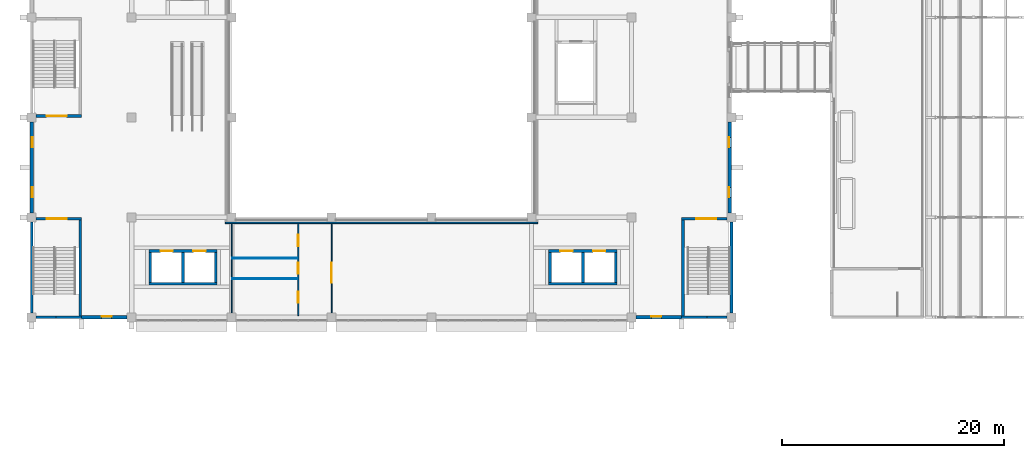
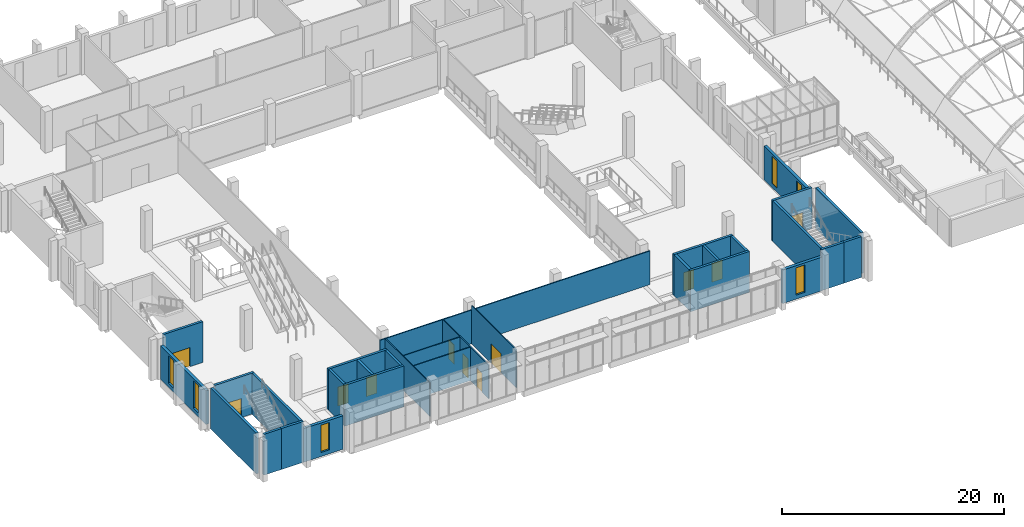
# One storey, part 51 of 79: 31 walls, 11 doors, 6 windows, 17 openings.
"""IFC4 building model written with IfcOpenShell, lengths in metres."""

from ifc_helpers import new_model, si_unit, direction, frame, frame_2d, origin, place, context, subcontext, project, spatial, rectangle, extrude, material, layer, layer_set, type_object, element, fill, save


model = new_model("IFC4")

# Units and contexts
model_context = context("Model", 3, precision=1e-05, world=origin(), true_north=direction((0.0, 1.0)))
body_context = subcontext(model_context, "Body", "Model", "MODEL_VIEW")
ifc_project = project(units=[si_unit("LENGTHUNIT", "METRE"), si_unit("AREAUNIT", "SQUARE_METRE"), si_unit("VOLUMEUNIT", "CUBIC_METRE"), si_unit("PLANEANGLEUNIT", "RADIAN"), si_unit("MASSUNIT", "GRAM", prefix="KILO")], contexts=[model_context])

# Site, building, storey
site_placement = place(None, origin())
site = spatial("IfcSite", under=ifc_project, at=site_placement, CompositionType="ELEMENT")
building_placement = place(site_placement, origin())
building = spatial("IfcBuilding", under=site, at=building_placement, Name="Guidao Yard Department Store", CompositionType="ELEMENT")
storey_placement = place(building_placement, frame((0.0, 0.0, 15.0)))
storey = spatial("IfcBuildingStorey", under=building, at=storey_placement, Name="L03", CompositionType="ELEMENT", Elevation=15.0)

# Walls
ifc_material_1 = material(Name="Moisture-resistant board on Steel Q235 studs", Category="steel")
ifc_layer_1 = layer(ifc_material_1, 0.080078125)
ifc_layer_set_1 = layer_set([ifc_layer_1], Name="Cubicle and Duct Partition P8 80 mm moisture-resistant board")
wall_type_1 = type_object("IfcWallType", Name="Cubicle and Duct Partition P8 80 mm moisture-resistant board", PredefinedType="PARTITIONING", material=ifc_layer_set_1)
for number, where, z_axis, x_axis, name in (
    (1, (18.050048828125, 48.489990234375, 0.0), (0.0, 0.0, 1.0), (1.0, 0.0, 0.0), "Wall W-HL03-004"),
    (2, (18.050048828125, 50.326904296875, 0.0), (0.0, 0.0, 1.0), (1.0, 0.0, 0.0), "Wall W-HL03-005"),
):
    element("IfcWall", number, at=place(storey_placement, frame(where, z_axis=z_axis, x_axis=x_axis)), inside=storey, type_object=wall_type_1, Name=name, PredefinedType="PARTITIONING", context=body_context, shape_type="SweptSolid", body=[
        extrude(rectangle(XDim=5.89990234375, YDim=0.080078125, at=frame_2d((2.949951171875, 0.0))), origin(), (0.0, 0.0, 1.0), 3.699951171875),
    ])
ifc_material_2 = material(Name="Fire-rated glazing in Steel Q235 frame", Category="steel")
ifc_layer_2 = layer(ifc_material_2, 0.1201171875)
ifc_layer_set_2 = layer_set([ifc_layer_2], Name="Fire-Glazed Screen P5 120 mm EI 60")
wall_type_2 = type_object("IfcWallType", Name="Fire-Glazed Screen P5 120 mm EI 60", PredefinedType="PARTITIONING", material=ifc_layer_set_2)
wall_1_placement = place(storey_placement, frame((17.43994140625, 53.5, 0.0), z_axis=(0.0, 0.0, 1.0), x_axis=(1.0, 0.0, 0.0)))
element("IfcWall", 3, at=wall_1_placement, inside=storey, type_object=wall_type_2, Name="Wall W-HL03-006", PredefinedType="PARTITIONING", context=body_context, shape_type="SweptSolid", body=[
    extrude(rectangle(XDim=28.1201171875, YDim=0.1201171875, at=frame_2d((14.06005859375, 0.0))), origin(), (0.0, 0.0, 1.0), 3.699951171875),
])

# Wall, opening, window
ifc_material_3 = material(Name="Concrete C35", Category="concrete")
ifc_layer_3 = layer(ifc_material_3, 0.300048828125)
ifc_layer_set_3 = layer_set([ifc_layer_3], Name="Hall facade wall 300 C35")
wall_type_3 = type_object("IfcWallType", Name="Hall facade wall 300 C35", PredefinedType="SOLIDWALL", material=ifc_layer_set_3)
wall_2_placement = place(storey_placement, frame((8.60009765625, 45.0, 0.0), z_axis=(0.0, 0.0, 1.0), x_axis=(-1.0, 0.0, 0.0)))
wall_2 = element("IfcWall", 4, at=wall_2_placement, inside=storey, type_object=wall_type_3, Name="Hall facade wall", PredefinedType="SOLIDWALL", context=body_context, shape_type="SweptSolid", body=[
    extrude(rectangle(XDim=4.10009765625, YDim=0.300048828125, at=frame_2d((2.050048828125, 0.0))), origin(), (0.0, 0.0, 1.0), 3.699951171875),
])
opening_1_placement = place(wall_2_placement, frame((1.39990234375, 0.0, 0.449951171875)))
opening_1 = element("IfcOpeningElement", 5, at=opening_1_placement, cuts=wall_2, Name="Opening WN-L03-E01", PredefinedType="OPENING", context=body_context, shape_type="SweptSolid", body=[
    extrude(rectangle(XDim=0.89990234375, YDim=3.0, at=frame_2d((0.449951171875, 1.5))), frame((0.0, 0.159912109375, 0.0), z_axis=(0.0, -1.0, 0.0), x_axis=(1.0, 0.0, 0.0)), (0.0, 0.0, 1.0), 0.320068359375),
])
ifc_material_4 = material(Name="Laminated glass in aluminium frame", Category="aluminium")
window_type = type_object("IfcWindowType", Name="Slot window SL1 900 x 3000 fixed", PartitioningType="SINGLE_PANEL", PredefinedType="WINDOW", material=ifc_material_4)
window_1_placement = place(opening_1_placement, origin())
window_1 = element("IfcWindow", 6, at=window_1_placement, inside=storey, type_object=window_type, Name="Slot window", OverallHeight=3.0, OverallWidth=0.89990234375, PartitioningType="SINGLE_PANEL", PredefinedType="WINDOW", context=body_context, shape_type="SweptSolid", body=[
    extrude(rectangle(XDim=0.89990234375, YDim=3.0, at=frame_2d((0.449951171875, 1.5))), frame((0.0, -0.030029296875, 0.0), z_axis=(0.0, -1.0, 0.0), x_axis=(1.0, 0.0, 0.0)), (0.0, 0.0, 1.0), 0.06005859375),
])
fill(opening_1, window_1)

wall_3_placement = place(storey_placement, frame((58.5, 45.0, 0.0), z_axis=(0.0, 0.0, 1.0), x_axis=(-1.0, 0.0, 0.0)))
wall_3 = element("IfcWall", 7, at=wall_3_placement, inside=storey, type_object=wall_type_3, Name="Hall facade wall", PredefinedType="SOLIDWALL", context=body_context, shape_type="SweptSolid", body=[
    extrude(rectangle(XDim=4.10009765625, YDim=0.300048828125, at=frame_2d((2.050048828125, 0.0))), origin(), (0.0, 0.0, 1.0), 3.699951171875),
])
opening_2_placement = place(wall_3_placement, frame((1.800048828125, 0.0, 0.449951171875)))
opening_2 = element("IfcOpeningElement", 8, at=opening_2_placement, cuts=wall_3, Name="Opening WN-L03-E02", PredefinedType="OPENING", context=body_context, shape_type="SweptSolid", body=[
    extrude(rectangle(XDim=0.89990234375, YDim=3.0, at=frame_2d((0.449951171875, 1.5))), frame((0.0, 0.159912109375, 0.0), z_axis=(0.0, -1.0, 0.0), x_axis=(1.0, 0.0, 0.0)), (0.0, 0.0, 1.0), 0.320068359375),
])
window_2_placement = place(opening_2_placement, origin())
window_2 = element("IfcWindow", 9, at=window_2_placement, inside=storey, type_object=window_type, Name="Slot window", OverallHeight=3.0, OverallWidth=0.89990234375, PartitioningType="SINGLE_PANEL", PredefinedType="WINDOW", context=body_context, shape_type="SweptSolid", body=[
    extrude(rectangle(XDim=0.89990234375, YDim=3.0, at=frame_2d((0.449951171875, 1.5))), frame((0.0, -0.030029296875, 0.0), z_axis=(0.0, -1.0, 0.0), x_axis=(1.0, 0.0, 0.0)), (0.0, 0.0, 1.0), 0.06005859375),
])
fill(opening_2, window_2)

# Wall, openings, windows
wall_4_placement = place(storey_placement, frame((0.0, 54.39990234375, 0.0), z_axis=(0.0, 0.0, 1.0), x_axis=(0.0, 1.0, 0.0)))
wall_4 = element("IfcWall", 10, at=wall_4_placement, inside=storey, type_object=wall_type_3, Name="Hall facade wall", PredefinedType="SOLIDWALL", context=body_context, shape_type="SweptSolid", body=[
    extrude(rectangle(XDim=8.2001953125, YDim=0.300048828125, at=frame_2d((4.10009765625, 0.0))), origin(), (0.0, 0.0, 1.0), 3.699951171875),
])
opening_3_placement = place(wall_4_placement, frame((1.39990234375, 0.0, 0.449951171875)))
opening_3 = element("IfcOpeningElement", 11, at=opening_3_placement, cuts=wall_4, Name="Opening WN-L03-E03", PredefinedType="OPENING", context=body_context, shape_type="SweptSolid", body=[
    extrude(rectangle(XDim=0.89990234375, YDim=3.0, at=frame_2d((0.449951171875, 1.5))), frame((0.0, 0.159912109375, 0.0), z_axis=(0.0, -1.0, 0.0), x_axis=(1.0, 0.0, 0.0)), (0.0, 0.0, 1.0), 0.320068359375),
])
opening_4_placement = place(wall_4_placement, frame((5.89990234375, 0.0, 0.449951171875)))
opening_4 = element("IfcOpeningElement", 12, at=opening_4_placement, cuts=wall_4, Name="Opening WN-L03-E04", PredefinedType="OPENING", context=body_context, shape_type="SweptSolid", body=[
    extrude(rectangle(XDim=0.89990234375, YDim=3.0, at=frame_2d((0.449951171875, 1.5))), frame((0.0, 0.159912109375, 0.0), z_axis=(0.0, -1.0, 0.0), x_axis=(1.0, 0.0, 0.0)), (0.0, 0.0, 1.0), 0.320068359375),
])
window_3_placement = place(opening_3_placement, origin())
window_3 = element("IfcWindow", 13, at=window_3_placement, inside=storey, type_object=window_type, Name="Slot window", OverallHeight=3.0, OverallWidth=0.89990234375, PartitioningType="SINGLE_PANEL", PredefinedType="WINDOW", context=body_context, shape_type="SweptSolid", body=[
    extrude(rectangle(XDim=0.89990234375, YDim=3.0, at=frame_2d((0.449951171875, 1.5))), frame((0.0, -0.030029296875, 0.0), z_axis=(0.0, -1.0, 0.0), x_axis=(1.0, 0.0, 0.0)), (0.0, 0.0, 1.0), 0.06005859375),
])
fill(opening_3, window_3)
window_4_placement = place(opening_4_placement, origin())
window_4 = element("IfcWindow", 14, at=window_4_placement, inside=storey, type_object=window_type, Name="Slot window", OverallHeight=3.0, OverallWidth=0.89990234375, PartitioningType="SINGLE_PANEL", PredefinedType="WINDOW", context=body_context, shape_type="SweptSolid", body=[
    extrude(rectangle(XDim=0.89990234375, YDim=3.0, at=frame_2d((0.449951171875, 1.5))), frame((0.0, -0.030029296875, 0.0), z_axis=(0.0, -1.0, 0.0), x_axis=(1.0, 0.0, 0.0)), (0.0, 0.0, 1.0), 0.06005859375),
])
fill(opening_4, window_4)

wall_5_placement = place(storey_placement, frame((62.85009765625, 62.60009765625, 0.0), z_axis=(0.0, 0.0, 1.0), x_axis=(0.0, -1.0, 0.0)))
wall_5 = element("IfcWall", 15, at=wall_5_placement, inside=storey, type_object=wall_type_3, Name="Hall facade wall", PredefinedType="SOLIDWALL", context=body_context, shape_type="SweptSolid", body=[
    extrude(rectangle(XDim=8.2001953125, YDim=0.300048828125, at=frame_2d((4.10009765625, 0.0))), origin(), (0.0, 0.0, 1.0), 3.699951171875),
])
opening_5_placement = place(wall_5_placement, frame((5.89990234375, 0.0, 0.449951171875)))
opening_5 = element("IfcOpeningElement", 16, at=opening_5_placement, cuts=wall_5, Name="Opening WN-L03-E19", PredefinedType="OPENING", context=body_context, shape_type="SweptSolid", body=[
    extrude(rectangle(XDim=0.89990234375, YDim=3.0, at=frame_2d((0.449951171875, 1.5))), frame((0.0, 0.159912109375, 0.0), z_axis=(0.0, -1.0, 0.0), x_axis=(1.0, 0.0, 0.0)), (0.0, 0.0, 1.0), 0.320068359375),
])
opening_6_placement = place(wall_5_placement, frame((1.39990234375, 0.0, 0.449951171875)))
opening_6 = element("IfcOpeningElement", 17, at=opening_6_placement, cuts=wall_5, Name="Opening WN-L03-E20", PredefinedType="OPENING", context=body_context, shape_type="SweptSolid", body=[
    extrude(rectangle(XDim=0.89990234375, YDim=3.0, at=frame_2d((0.449951171875, 1.5))), frame((0.0, 0.159912109375, 0.0), z_axis=(0.0, -1.0, 0.0), x_axis=(1.0, 0.0, 0.0)), (0.0, 0.0, 1.0), 0.320068359375),
])
window_5_placement = place(opening_5_placement, origin())
window_5 = element("IfcWindow", 18, at=window_5_placement, inside=storey, type_object=window_type, Name="Slot window", OverallHeight=3.0, OverallWidth=0.89990234375, PartitioningType="SINGLE_PANEL", PredefinedType="WINDOW", context=body_context, shape_type="SweptSolid", body=[
    extrude(rectangle(XDim=0.89990234375, YDim=3.0, at=frame_2d((0.449951171875, 1.5))), frame((0.0, -0.030029296875, 0.0), z_axis=(0.0, -1.0, 0.0), x_axis=(1.0, 0.0, 0.0)), (0.0, 0.0, 1.0), 0.06005859375),
])
fill(opening_5, window_5)
window_6_placement = place(opening_6_placement, origin())
window_6 = element("IfcWindow", 19, at=window_6_placement, inside=storey, type_object=window_type, Name="Slot window", OverallHeight=3.0, OverallWidth=0.89990234375, PartitioningType="SINGLE_PANEL", PredefinedType="WINDOW", context=body_context, shape_type="SweptSolid", body=[
    extrude(rectangle(XDim=0.89990234375, YDim=3.0, at=frame_2d((0.449951171875, 1.5))), frame((0.0, -0.030029296875, 0.0), z_axis=(0.0, -1.0, 0.0), x_axis=(1.0, 0.0, 0.0)), (0.0, 0.0, 1.0), 0.06005859375),
])
fill(opening_6, window_6)

# Wall, openings, doors
ifc_material_5 = material(Name="Gypsum board on Steel Q235 studs", Category="steel")
ifc_layer_4 = layer(ifc_material_5, 0.10009765625)
ifc_layer_set_4 = layer_set([ifc_layer_4], Name="Partition P1 100 mm gypsum board EI 30")
wall_type_4 = type_object("IfcWallType", Name="Partition P1 100 mm gypsum board EI 30", PredefinedType="PARTITIONING", material=ifc_layer_set_4)
wall_6_placement = place(storey_placement, frame((24.0, 45.14990234375, 0.0), z_axis=(0.0, 0.0, 1.0), x_axis=(0.0, 1.0, 0.0)))
wall_6 = element("IfcWall", 20, at=wall_6_placement, inside=storey, type_object=wall_type_4, Name="Wall W-HL03-001", PredefinedType="PARTITIONING", context=body_context, shape_type="SweptSolid", body=[
    extrude(rectangle(XDim=8.2900390625, YDim=0.10009765625, at=frame_2d((4.14501953125, 0.0))), origin(), (0.0, 0.0, 1.0), 3.699951171875),
])
opening_7_placement = place(wall_6_placement, frame((1.169921875, 0.0, 0.0)))
opening_7 = element("IfcOpeningElement", 21, at=opening_7_placement, cuts=wall_6, Name="Opening HL03-001", PredefinedType="OPENING", context=body_context, shape_type="SweptSolid", body=[
    extrude(rectangle(XDim=1.0, YDim=2.10009765625, at=frame_2d((0.5, 1.050048828125))), frame((0.0, 0.06005859375, 0.0), z_axis=(0.0, -1.0, 0.0), x_axis=(1.0, 0.0, 0.0)), (0.0, 0.0, 1.0), 0.1201171875),
])
opening_8_placement = place(wall_6_placement, frame((3.758544921875, 0.0, 0.0)))
opening_8 = element("IfcOpeningElement", 22, at=opening_8_placement, cuts=wall_6, Name="Opening HL03-003", PredefinedType="OPENING", context=body_context, shape_type="SweptSolid", body=[
    extrude(rectangle(XDim=1.0, YDim=2.10009765625, at=frame_2d((0.5, 1.050048828125))), frame((0.0, 0.06005859375, 0.0), z_axis=(0.0, -1.0, 0.0), x_axis=(1.0, 0.0, 0.0)), (0.0, 0.0, 1.0), 0.1201171875),
])
opening_9_placement = place(wall_6_placement, frame((6.263427734375, 0.0, 0.0)))
opening_9 = element("IfcOpeningElement", 23, at=opening_9_placement, cuts=wall_6, Name="Opening HL03-004", PredefinedType="OPENING", context=body_context, shape_type="SweptSolid", body=[
    extrude(rectangle(XDim=1.0, YDim=2.10009765625, at=frame_2d((0.5, 1.050048828125))), frame((0.0, 0.06005859375, 0.0), z_axis=(0.0, -1.0, 0.0), x_axis=(1.0, 0.0, 0.0)), (0.0, 0.0, 1.0), 0.1201171875),
])
ifc_material_6 = material(Name="Timber door leaf", Category="wood")
door_type_1 = type_object("IfcDoorType", Name="Door AD10 accessible WC 1000 x 2100", OperationType="SINGLE_SWING_LEFT", PredefinedType="DOOR", material=ifc_material_6)
door_1_placement = place(opening_8_placement, origin())
door_1 = element("IfcDoor", 24, at=door_1_placement, inside=storey, type_object=door_type_1, Name="Door HL03-003", OperationType="SINGLE_SWING_RIGHT", OverallHeight=2.10009765625, OverallWidth=1.0, PredefinedType="DOOR", context=body_context, shape_type="SweptSolid", body=[
    extrude(rectangle(XDim=1.0, YDim=2.10009765625, at=frame_2d((0.5, 1.050048828125))), frame((0.0, 0.02490234375, 0.0), z_axis=(0.0, -1.0, 0.0), x_axis=(1.0, 0.0, 0.0)), (0.0, 0.0, 1.0), 0.050048828125),
])
fill(opening_8, door_1)
ifc_material_7 = material(Name="Timber door leaf", Category="wood")
door_type_2 = type_object("IfcDoorType", Name="Door D2 1000 x 2100", OperationType="SINGLE_SWING_LEFT", PredefinedType="DOOR", material=ifc_material_7)
door_2_placement = place(opening_7_placement, origin())
door_2 = element("IfcDoor", 25, at=door_2_placement, inside=storey, type_object=door_type_2, Name="Door HL03-001", OperationType="SINGLE_SWING_LEFT", OverallHeight=2.10009765625, OverallWidth=1.0, PredefinedType="DOOR", context=body_context, shape_type="SweptSolid", body=[
    extrude(rectangle(XDim=1.0, YDim=2.10009765625, at=frame_2d((0.5, 1.050048828125))), frame((0.0, 0.02490234375, 0.0), z_axis=(0.0, -1.0, 0.0), x_axis=(1.0, 0.0, 0.0)), (0.0, 0.0, 1.0), 0.050048828125),
])
fill(opening_7, door_2)
door_3_placement = place(opening_9_placement, origin())
door_3 = element("IfcDoor", 26, at=door_3_placement, inside=storey, type_object=door_type_2, Name="Door HL03-004", OperationType="SINGLE_SWING_RIGHT", OverallHeight=2.10009765625, OverallWidth=1.0, PredefinedType="DOOR", context=body_context, shape_type="SweptSolid", body=[
    extrude(rectangle(XDim=1.0, YDim=2.10009765625, at=frame_2d((0.5, 1.050048828125))), frame((0.0, 0.02490234375, 0.0), z_axis=(0.0, -1.0, 0.0), x_axis=(1.0, 0.0, 0.0)), (0.0, 0.0, 1.0), 0.050048828125),
])
fill(opening_9, door_3)

# Wall
wall_7_placement = place(storey_placement, frame((18.0, 45.39990234375, 0.0), z_axis=(0.0, 0.0, 1.0), x_axis=(0.0, 1.0, 0.0)))
element("IfcWall", 27, at=wall_7_placement, inside=storey, type_object=wall_type_4, Name="Wall W-HL03-002", PredefinedType="PARTITIONING", context=body_context, shape_type="SweptSolid", body=[
    extrude(rectangle(XDim=8.0400390625, YDim=0.10009765625, at=frame_2d((4.02001953125, 0.0))), origin(), (0.0, 0.0, 1.0), 3.699951171875),
])

# Wall, opening, door
wall_8_placement = place(storey_placement, frame((27.0, 45.39990234375, 0.0), z_axis=(0.0, 0.0, 1.0), x_axis=(0.0, 1.0, 0.0)))
wall_8 = element("IfcWall", 28, at=wall_8_placement, inside=storey, type_object=wall_type_4, Name="Wall W-HL03-003", PredefinedType="PARTITIONING", context=body_context, shape_type="SweptSolid", body=[
    extrude(rectangle(XDim=8.0400390625, YDim=0.10009765625, at=frame_2d((4.02001953125, 0.0))), origin(), (0.0, 0.0, 1.0), 4.199951171875),
])
opening_10_placement = place(wall_8_placement, frame((4.5, 0.0, 0.0), z_axis=(0.0, 0.0, 1.0), x_axis=(-1.0, 0.0, 0.0)))
opening_10 = element("IfcOpeningElement", 29, at=opening_10_placement, cuts=wall_8, Name="Opening HL03-002", PredefinedType="OPENING", context=body_context, shape_type="SweptSolid", body=[
    extrude(rectangle(XDim=1.800048828125, YDim=2.10009765625, at=frame_2d((0.89990234375, 1.050048828125))), frame((0.0, 0.06005859375, 0.0), z_axis=(0.0, -1.0, 0.0), x_axis=(1.0, 0.0, 0.0)), (0.0, 0.0, 1.0), 0.1201171875),
])
ifc_material_8 = material(Name="Timber door leaf", Category="wood")
door_type_3 = type_object("IfcDoorType", Name="Door D3 double 1800 x 2100", OperationType="DOUBLE_DOOR_SINGLE_SWING", PredefinedType="DOOR", material=ifc_material_8)
door_4_placement = place(opening_10_placement, origin())
door_4 = element("IfcDoor", 30, at=door_4_placement, inside=storey, type_object=door_type_3, Name="Door HL03-002", OperationType="DOUBLE_DOOR_SINGLE_SWING", OverallHeight=2.10009765625, OverallWidth=1.800048828125, PredefinedType="DOOR", context=body_context, shape_type="SweptSolid", body=[
    extrude(rectangle(XDim=1.800048828125, YDim=2.10009765625, at=frame_2d((0.89990234375, 1.050048828125))), frame((0.0, 0.02490234375, 0.0), z_axis=(0.0, -1.0, 0.0), x_axis=(1.0, 0.0, 0.0)), (0.0, 0.0, 1.0), 0.050048828125),
])
fill(opening_10, door_4)

ifc_material_9 = material(Name="Concrete C40", Category="concrete")
ifc_layer_5 = layer(ifc_material_9, 0.25)
ifc_layer_set_5 = layer_set([ifc_layer_5], Name="Wall RC 250 C40 stair and shaft")
wall_type_5 = type_object("IfcWallType", Name="Wall RC 250 C40 stair and shaft", PredefinedType="SHEAR", material=ifc_layer_set_5)
wall_9_placement = place(storey_placement, frame((0.39990234375, 63.125, 0.0), z_axis=(0.0, 0.0, 1.0), x_axis=(1.0, 0.0, 0.0)))
wall_9 = element("IfcWall", 31, at=wall_9_placement, inside=storey, type_object=wall_type_5, Name="Stair wall SA1", PredefinedType="SHEAR", context=body_context, shape_type="SweptSolid", body=[
    extrude(rectangle(XDim=4.10009765625, YDim=0.25, at=frame_2d((2.050048828125, 0.0))), origin(), (0.0, 0.0, 1.0), 4.5),
])
opening_11_placement = place(wall_9_placement, frame((0.949951171875, 0.0, 0.0)))
opening_11 = element("IfcOpeningElement", 32, at=opening_11_placement, cuts=wall_9, Name="Opening L03-800", PredefinedType="OPENING", context=body_context, shape_type="SweptSolid", body=[
    extrude(rectangle(XDim=1.800048828125, YDim=2.10009765625, at=frame_2d((0.89990234375, 1.050048828125))), frame((0.0, 0.135009765625, 0.0), z_axis=(0.0, -1.0, 0.0), x_axis=(1.0, 0.0, 0.0)), (0.0, 0.0, 1.0), 0.27001953125),
])
ifc_material_10 = material(Name="Steel Q235", Category="steel")
door_type_4 = type_object("IfcDoorType", Name="Door fire-resisting 1800 x 2100 FD60", OperationType="DOUBLE_DOOR_SINGLE_SWING", PredefinedType="DOOR", material=ifc_material_10)
door_5_placement = place(opening_11_placement, origin())
door_5 = element("IfcDoor", 33, at=door_5_placement, inside=storey, type_object=door_type_4, Name="Stair A1 door L03", OperationType="DOUBLE_DOOR_SINGLE_SWING", OverallHeight=2.10009765625, OverallWidth=1.800048828125, PredefinedType="DOOR", context=body_context, shape_type="SweptSolid", body=[
    extrude(rectangle(XDim=1.800048828125, YDim=2.10009765625, at=frame_2d((0.89990234375, 1.050048828125))), frame((0.0, 0.02490234375, 0.0), z_axis=(0.0, -1.0, 0.0), x_axis=(1.0, 0.0, 0.0)), (0.0, 0.0, 1.0), 0.050048828125),
])
fill(opening_11, door_5)

# Walls
wall_10_placement = place(storey_placement, frame((58.5, 45.0, 0.0), z_axis=(0.0, 0.0, 1.0), x_axis=(1.0, 0.0, 0.0)))
element("IfcWall", 34, at=wall_10_placement, inside=storey, type_object=wall_type_5, Name="Stair wall SA2", PredefinedType="SHEAR", context=body_context, shape_type="SweptSolid", body=[
    extrude(rectangle(XDim=2.31201171875, YDim=0.25, at=frame_2d((1.156005859375, 0.0))), origin(), (0.0, 0.0, 1.0), 4.5),
])
wall_11_placement = place(storey_placement, frame((60.81201171875, 45.0, 0.0), z_axis=(0.0, 0.0, 1.0), x_axis=(1.0, 0.0, 0.0)))
element("IfcWall", 35, at=wall_11_placement, inside=storey, type_object=wall_type_5, Name="Stair wall SA2", PredefinedType="SHEAR", context=body_context, shape_type="SweptSolid", body=[
    extrude(rectangle(XDim=1.7880859375, YDim=0.25, at=frame_2d((0.89404296875, 0.0))), origin(), (0.0, 0.0, 1.0), 4.5),
])

# Wall, opening, door
wall_12_placement = place(storey_placement, frame((58.5, 53.875, 0.0), z_axis=(0.0, 0.0, 1.0), x_axis=(1.0, 0.0, 0.0)))
wall_12 = element("IfcWall", 36, at=wall_12_placement, inside=storey, type_object=wall_type_5, Name="Stair wall SA2", PredefinedType="SHEAR", context=body_context, shape_type="SweptSolid", body=[
    extrude(rectangle(XDim=4.10009765625, YDim=0.25, at=frame_2d((2.050048828125, 0.0))), origin(), (0.0, 0.0, 1.0), 4.5),
])
opening_12_placement = place(wall_12_placement, frame((3.150146484375, 0.0, 0.0), z_axis=(0.0, 0.0, 1.0), x_axis=(-1.0, 0.0, 0.0)))
opening_12 = element("IfcOpeningElement", 37, at=opening_12_placement, cuts=wall_12, Name="Opening L03-801", PredefinedType="OPENING", context=body_context, shape_type="SweptSolid", body=[
    extrude(rectangle(XDim=1.800048828125, YDim=2.10009765625, at=frame_2d((0.89990234375, 1.050048828125))), frame((0.0, 0.135009765625, 0.0), z_axis=(0.0, -1.0, 0.0), x_axis=(1.0, 0.0, 0.0)), (0.0, 0.0, 1.0), 0.27001953125),
])
door_6_placement = place(opening_12_placement, origin())
door_6 = element("IfcDoor", 38, at=door_6_placement, inside=storey, type_object=door_type_4, Name="Stair A2 door L03", OperationType="DOUBLE_DOOR_SINGLE_SWING", OverallHeight=2.10009765625, OverallWidth=1.800048828125, PredefinedType="DOOR", context=body_context, shape_type="SweptSolid", body=[
    extrude(rectangle(XDim=1.800048828125, YDim=2.10009765625, at=frame_2d((0.89990234375, 1.050048828125))), frame((0.0, 0.02490234375, 0.0), z_axis=(0.0, -1.0, 0.0), x_axis=(1.0, 0.0, 0.0)), (0.0, 0.0, 1.0), 0.050048828125),
])
fill(opening_12, door_6)

# Walls
wall_13_placement = place(storey_placement, frame((58.625, 45.125, 0.0), z_axis=(0.0, 0.0, 1.0), x_axis=(0.0, 1.0, 0.0)))
element("IfcWall", 39, at=wall_13_placement, inside=storey, type_object=wall_type_5, Name="Stair wall SA2", PredefinedType="SHEAR", context=body_context, shape_type="SweptSolid", body=[
    extrude(rectangle(XDim=8.625, YDim=0.25, at=frame_2d((4.3125, 0.0))), origin(), (0.0, 0.0, 1.0), 4.5),
])
wall_14_placement = place(storey_placement, frame((63.0, 45.39990234375, 0.0), z_axis=(0.0, 0.0, 1.0), x_axis=(0.0, 1.0, 0.0)))
element("IfcWall", 40, at=wall_14_placement, inside=storey, type_object=wall_type_5, Name="Stair wall SA2", PredefinedType="SHEAR", context=body_context, shape_type="SweptSolid", body=[
    extrude(rectangle(XDim=8.2001953125, YDim=0.25, at=frame_2d((4.10009765625, 0.0))), origin(), (0.0, 0.0, 1.0), 4.5),
])
wall_15_placement = place(storey_placement, frame((0.39990234375, 45.0, 0.0), z_axis=(0.0, 0.0, 1.0), x_axis=(1.0, 0.0, 0.0)))
element("IfcWall", 41, at=wall_15_placement, inside=storey, type_object=wall_type_5, Name="Stair wall SA8", PredefinedType="SHEAR", context=body_context, shape_type="SweptSolid", body=[
    extrude(rectangle(XDim=1.7880859375, YDim=0.25, at=frame_2d((0.89404296875, 0.0))), origin(), (0.0, 0.0, 1.0), 4.5),
])
wall_16_placement = place(storey_placement, frame((2.18798828125, 45.0, 0.0), z_axis=(0.0, 0.0, 1.0), x_axis=(1.0, 0.0, 0.0)))
element("IfcWall", 42, at=wall_16_placement, inside=storey, type_object=wall_type_5, Name="Stair wall SA8", PredefinedType="SHEAR", context=body_context, shape_type="SweptSolid", body=[
    extrude(rectangle(XDim=2.31201171875, YDim=0.25, at=frame_2d((1.156005859375, 0.0))), origin(), (0.0, 0.0, 1.0), 4.5),
])

# Wall, opening, door
wall_17_placement = place(storey_placement, frame((0.39990234375, 53.875, 0.0), z_axis=(0.0, 0.0, 1.0), x_axis=(1.0, 0.0, 0.0)))
wall_17 = element("IfcWall", 43, at=wall_17_placement, inside=storey, type_object=wall_type_5, Name="Stair wall SA8", PredefinedType="SHEAR", context=body_context, shape_type="SweptSolid", body=[
    extrude(rectangle(XDim=4.10009765625, YDim=0.25, at=frame_2d((2.050048828125, 0.0))), origin(), (0.0, 0.0, 1.0), 4.5),
])
opening_13_placement = place(wall_17_placement, frame((2.75, 0.0, 0.0), z_axis=(0.0, 0.0, 1.0), x_axis=(-1.0, 0.0, 0.0)))
opening_13 = element("IfcOpeningElement", 44, at=opening_13_placement, cuts=wall_17, Name="Opening L03-807", PredefinedType="OPENING", context=body_context, shape_type="SweptSolid", body=[
    extrude(rectangle(XDim=1.800048828125, YDim=2.10009765625, at=frame_2d((0.89990234375, 1.050048828125))), frame((0.0, 0.135009765625, 0.0), z_axis=(0.0, -1.0, 0.0), x_axis=(1.0, 0.0, 0.0)), (0.0, 0.0, 1.0), 0.27001953125),
])
door_7_placement = place(opening_13_placement, origin())
door_7 = element("IfcDoor", 45, at=door_7_placement, inside=storey, type_object=door_type_4, Name="Stair A8 door L03", OperationType="DOUBLE_DOOR_SINGLE_SWING", OverallHeight=2.10009765625, OverallWidth=1.800048828125, PredefinedType="DOOR", context=body_context, shape_type="SweptSolid", body=[
    extrude(rectangle(XDim=1.800048828125, YDim=2.10009765625, at=frame_2d((0.89990234375, 1.050048828125))), frame((0.0, 0.02490234375, 0.0), z_axis=(0.0, -1.0, 0.0), x_axis=(1.0, 0.0, 0.0)), (0.0, 0.0, 1.0), 0.050048828125),
])
fill(opening_13, door_7)

# Walls
wall_18_placement = place(storey_placement, frame((0.0, 45.39990234375, 0.0), z_axis=(0.0, 0.0, 1.0), x_axis=(0.0, 1.0, 0.0)))
element("IfcWall", 46, at=wall_18_placement, inside=storey, type_object=wall_type_5, Name="Stair wall SA8", PredefinedType="SHEAR", context=body_context, shape_type="SweptSolid", body=[
    extrude(rectangle(XDim=8.2001953125, YDim=0.25, at=frame_2d((4.10009765625, 0.0))), origin(), (0.0, 0.0, 1.0), 4.5),
])
wall_19_placement = place(storey_placement, frame((4.375, 45.125, 0.0), z_axis=(0.0, 0.0, 1.0), x_axis=(0.0, 1.0, 0.0)))
element("IfcWall", 47, at=wall_19_placement, inside=storey, type_object=wall_type_5, Name="Stair wall SA8", PredefinedType="SHEAR", context=body_context, shape_type="SweptSolid", body=[
    extrude(rectangle(XDim=8.625, YDim=0.25, at=frame_2d((4.3125, 0.0))), origin(), (0.0, 0.0, 1.0), 4.5),
])

# Wall, openings, doors
wall_20_placement = place(storey_placement, frame((10.550048828125, 50.97509765625, 0.0), z_axis=(0.0, 0.0, 1.0), x_axis=(1.0, 0.0, 0.0)))
wall_20 = element("IfcWall", 48, at=wall_20_placement, inside=storey, type_object=wall_type_5, Name="Lift shaft wall HL1 to HL2", PredefinedType="SHEAR", context=body_context, shape_type="SweptSolid", body=[
    extrude(rectangle(XDim=6.14990234375, YDim=0.25, at=frame_2d((3.074951171875, 0.0))), origin(), (0.0, 0.0, 1.0), 4.5),
])
opening_14_placement = place(wall_20_placement, frame((1.050048828125, 0.0, 0.0)))
opening_14 = element("IfcOpeningElement", 49, at=opening_14_placement, cuts=wall_20, Name="Opening LD-HL1-L03", PredefinedType="OPENING", context=body_context, shape_type="SweptSolid", body=[
    extrude(rectangle(XDim=1.10009765625, YDim=2.10009765625, at=frame_2d((0.550048828125, 1.050048828125))), frame((0.0, 0.135009765625, 0.0), z_axis=(0.0, -1.0, 0.0), x_axis=(1.0, 0.0, 0.0)), (0.0, 0.0, 1.0), 0.27001953125),
])
opening_15_placement = place(wall_20_placement, frame((4.0, 0.0, 0.0)))
opening_15 = element("IfcOpeningElement", 50, at=opening_15_placement, cuts=wall_20, Name="Opening LD-HL2-L03", PredefinedType="OPENING", context=body_context, shape_type="SweptSolid", body=[
    extrude(rectangle(XDim=1.10009765625, YDim=2.10009765625, at=frame_2d((0.550048828125, 1.050048828125))), frame((0.0, 0.135009765625, 0.0), z_axis=(0.0, -1.0, 0.0), x_axis=(1.0, 0.0, 0.0)), (0.0, 0.0, 1.0), 0.27001953125),
])
ifc_material_11 = material(Name="Stainless steel 06Cr19Ni10", Category="steel")
door_type_5 = type_object("IfcDoorType", Name="Lift landing door fire-resisting sliding 1100 x 2100", OperationType="DOUBLE_DOOR_SLIDING", PredefinedType="DOOR", material=ifc_material_11)
door_8_placement = place(opening_14_placement, origin())
door_8 = element("IfcDoor", 51, at=door_8_placement, inside=storey, type_object=door_type_5, Name="Lift landing door HL1 L03", OperationType="DOUBLE_DOOR_SLIDING", OverallHeight=2.10009765625, OverallWidth=1.10009765625, PredefinedType="DOOR", context=body_context, shape_type="SweptSolid", body=[
    extrude(rectangle(XDim=1.10009765625, YDim=2.10009765625, at=frame_2d((0.550048828125, 1.050048828125))), frame((0.0, 0.02490234375, 0.0), z_axis=(0.0, -1.0, 0.0), x_axis=(1.0, 0.0, 0.0)), (0.0, 0.0, 1.0), 0.050048828125),
])
fill(opening_14, door_8)
door_9_placement = place(opening_15_placement, origin())
door_9 = element("IfcDoor", 52, at=door_9_placement, inside=storey, type_object=door_type_5, Name="Lift landing door HL2 L03", OperationType="DOUBLE_DOOR_SLIDING", OverallHeight=2.10009765625, OverallWidth=1.10009765625, PredefinedType="DOOR", context=body_context, shape_type="SweptSolid", body=[
    extrude(rectangle(XDim=1.10009765625, YDim=2.10009765625, at=frame_2d((0.550048828125, 1.050048828125))), frame((0.0, 0.02490234375, 0.0), z_axis=(0.0, -1.0, 0.0), x_axis=(1.0, 0.0, 0.0)), (0.0, 0.0, 1.0), 0.050048828125),
])
fill(opening_15, door_9)

# Walls
wall_21_placement = place(storey_placement, frame((10.550048828125, 48.02490234375, 0.0), z_axis=(0.0, 0.0, 1.0), x_axis=(1.0, 0.0, 0.0)))
element("IfcWall", 53, at=wall_21_placement, inside=storey, type_object=wall_type_5, Name="Lift shaft wall HL1 to HL2", PredefinedType="SHEAR", context=body_context, shape_type="SweptSolid", body=[
    extrude(rectangle(XDim=6.14990234375, YDim=0.25, at=frame_2d((3.074951171875, 0.0))), origin(), (0.0, 0.0, 1.0), 4.5),
])
for number, where, z_axis, x_axis, name in (
    (54, (10.675048828125, 48.14990234375, 0.0), (0.0, 0.0, 1.0), (0.0, 1.0, 0.0), "Lift shaft wall HL1 to HL2"),
    (55, (13.625, 48.14990234375, 0.0), (0.0, 0.0, 1.0), (0.0, 1.0, 0.0), "Lift shaft wall HL1 to HL2"),
    (56, (16.574951171875, 48.14990234375, 0.0), (0.0, 0.0, 1.0), (0.0, 1.0, 0.0), "Lift shaft wall HL1 to HL2"),
):
    element("IfcWall", number, at=place(storey_placement, frame(where, z_axis=z_axis, x_axis=x_axis)), inside=storey, type_object=wall_type_5, Name=name, PredefinedType="SHEAR", context=body_context, shape_type="SweptSolid", body=[
        extrude(rectangle(XDim=2.7001953125, YDim=0.25, at=frame_2d((1.35009765625, 0.0))), origin(), (0.0, 0.0, 1.0), 4.5),
    ])

# Wall, openings, doors
wall_22_placement = place(storey_placement, frame((46.550048828125, 50.97509765625, 0.0), z_axis=(0.0, 0.0, 1.0), x_axis=(1.0, 0.0, 0.0)))
wall_22 = element("IfcWall", 57, at=wall_22_placement, inside=storey, type_object=wall_type_5, Name="Lift shaft wall HL3 to HL4", PredefinedType="SHEAR", context=body_context, shape_type="SweptSolid", body=[
    extrude(rectangle(XDim=6.14990234375, YDim=0.25, at=frame_2d((3.074951171875, 0.0))), origin(), (0.0, 0.0, 1.0), 4.5),
])
opening_16_placement = place(wall_22_placement, frame((1.050048828125, 0.0, 0.0)))
opening_16 = element("IfcOpeningElement", 58, at=opening_16_placement, cuts=wall_22, Name="Opening LD-HL3-L03", PredefinedType="OPENING", context=body_context, shape_type="SweptSolid", body=[
    extrude(rectangle(XDim=1.10009765625, YDim=2.10009765625, at=frame_2d((0.550048828125, 1.050048828125))), frame((0.0, 0.135009765625, 0.0), z_axis=(0.0, -1.0, 0.0), x_axis=(1.0, 0.0, 0.0)), (0.0, 0.0, 1.0), 0.27001953125),
])
opening_17_placement = place(wall_22_placement, frame((4.0, 0.0, 0.0)))
opening_17 = element("IfcOpeningElement", 59, at=opening_17_placement, cuts=wall_22, Name="Opening LD-HL4-L03", PredefinedType="OPENING", context=body_context, shape_type="SweptSolid", body=[
    extrude(rectangle(XDim=1.10009765625, YDim=2.10009765625, at=frame_2d((0.550048828125, 1.050048828125))), frame((0.0, 0.135009765625, 0.0), z_axis=(0.0, -1.0, 0.0), x_axis=(1.0, 0.0, 0.0)), (0.0, 0.0, 1.0), 0.27001953125),
])
door_10_placement = place(opening_16_placement, origin())
door_10 = element("IfcDoor", 60, at=door_10_placement, inside=storey, type_object=door_type_5, Name="Lift landing door HL3 L03", OperationType="DOUBLE_DOOR_SLIDING", OverallHeight=2.10009765625, OverallWidth=1.10009765625, PredefinedType="DOOR", context=body_context, shape_type="SweptSolid", body=[
    extrude(rectangle(XDim=1.10009765625, YDim=2.10009765625, at=frame_2d((0.550048828125, 1.050048828125))), frame((0.0, 0.02490234375, 0.0), z_axis=(0.0, -1.0, 0.0), x_axis=(1.0, 0.0, 0.0)), (0.0, 0.0, 1.0), 0.050048828125),
])
fill(opening_16, door_10)
door_11_placement = place(opening_17_placement, origin())
door_11 = element("IfcDoor", 61, at=door_11_placement, inside=storey, type_object=door_type_5, Name="Lift landing door HL4 L03", OperationType="DOUBLE_DOOR_SLIDING", OverallHeight=2.10009765625, OverallWidth=1.10009765625, PredefinedType="DOOR", context=body_context, shape_type="SweptSolid", body=[
    extrude(rectangle(XDim=1.10009765625, YDim=2.10009765625, at=frame_2d((0.550048828125, 1.050048828125))), frame((0.0, 0.02490234375, 0.0), z_axis=(0.0, -1.0, 0.0), x_axis=(1.0, 0.0, 0.0)), (0.0, 0.0, 1.0), 0.050048828125),
])
fill(opening_17, door_11)

# Walls
wall_23_placement = place(storey_placement, frame((46.550048828125, 48.02490234375, 0.0), z_axis=(0.0, 0.0, 1.0), x_axis=(1.0, 0.0, 0.0)))
element("IfcWall", 62, at=wall_23_placement, inside=storey, type_object=wall_type_5, Name="Lift shaft wall HL3 to HL4", PredefinedType="SHEAR", context=body_context, shape_type="SweptSolid", body=[
    extrude(rectangle(XDim=6.14990234375, YDim=0.25, at=frame_2d((3.074951171875, 0.0))), origin(), (0.0, 0.0, 1.0), 4.5),
])
for number, where, z_axis, x_axis, name in (
    (63, (46.675048828125, 48.14990234375, 0.0), (0.0, 0.0, 1.0), (0.0, 1.0, 0.0), "Lift shaft wall HL3 to HL4"),
    (64, (49.625, 48.14990234375, 0.0), (0.0, 0.0, 1.0), (0.0, 1.0, 0.0), "Lift shaft wall HL3 to HL4"),
    (65, (52.574951171875, 48.14990234375, 0.0), (0.0, 0.0, 1.0), (0.0, 1.0, 0.0), "Lift shaft wall HL3 to HL4"),
):
    element("IfcWall", number, at=place(storey_placement, frame(where, z_axis=z_axis, x_axis=x_axis)), inside=storey, type_object=wall_type_5, Name=name, PredefinedType="SHEAR", context=body_context, shape_type="SweptSolid", body=[
        extrude(rectangle(XDim=2.7001953125, YDim=0.25, at=frame_2d((1.35009765625, 0.0))), origin(), (0.0, 0.0, 1.0), 4.5),
    ])

save(model, "model.ifc")
